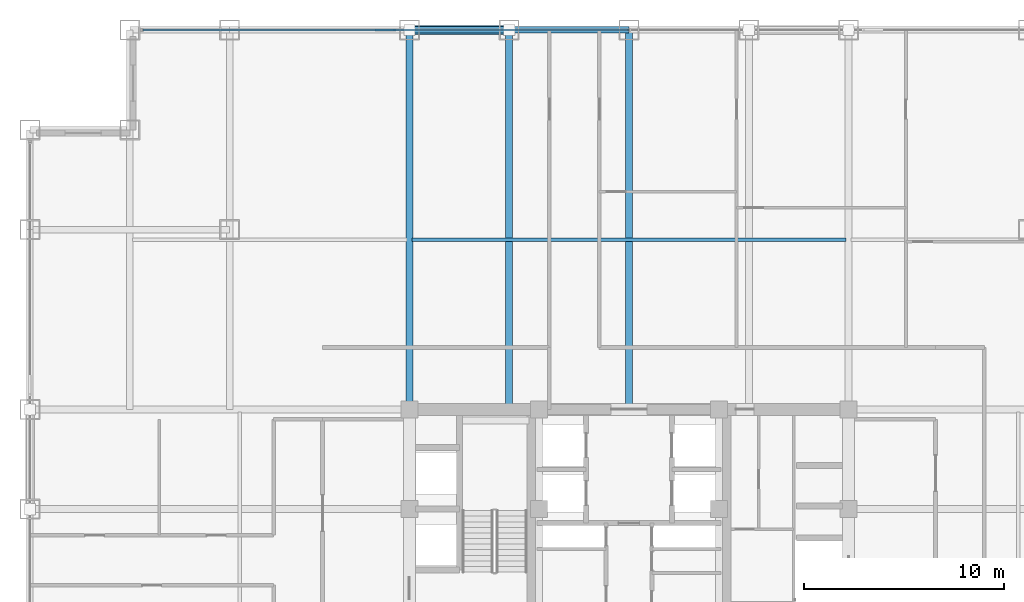
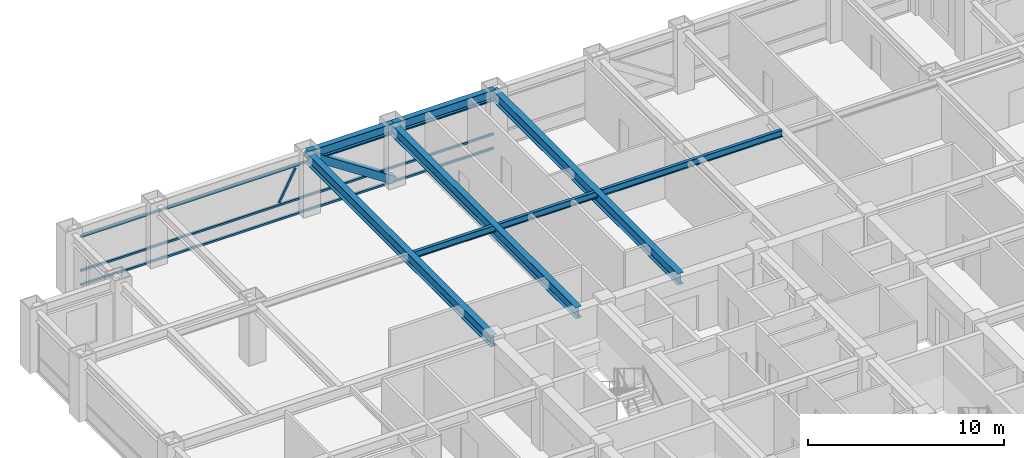
# One storey, part 15 of 25: 6 beams, 5 members, 1 element without a shape of its own.
"""IFC4 building model written with IfcOpenShell, lengths in metres."""

from ifc_helpers import new_model, si_unit, direction, frame, origin, origin_2d, place, context, subcontext, project, spatial, hollow_rectangle, i_section, extrude, source, transform, mapped, material, material_profile, profile_set, type_object, element, aggregate, save


model = new_model("IFC4")

# Units and contexts
model_context = context("Model", 3, precision=1e-05, world=origin(), true_north=direction((0.0, 1.0)))
body_context = subcontext(model_context, "Body", "Model", "MODEL_VIEW")
ifc_project = project(units=[si_unit("LENGTHUNIT", "METRE"), si_unit("AREAUNIT", "SQUARE_METRE"), si_unit("VOLUMEUNIT", "CUBIC_METRE"), si_unit("PLANEANGLEUNIT", "RADIAN"), si_unit("MASSUNIT", "GRAM", prefix="KILO")], contexts=[model_context])

# Site, building, storey
site_placement = place(None, origin())
site = spatial("IfcSite", under=ifc_project, at=site_placement, CompositionType="ELEMENT")
building_placement = place(site_placement, origin())
building = spatial("IfcBuilding", under=site, at=building_placement, Name="Khorayat Bourse Tower", CompositionType="ELEMENT")
storey_placement = place(building_placement, frame((0.0, 0.0, 247.10009765625)))
storey = spatial("IfcBuildingStorey", under=building, at=storey_placement, Name="L58", CompositionType="ELEMENT", Elevation=247.10009765625)

# Beams
ifc_material_1 = material(Name="Steel ASTM A992 Grade 50", Category="steel")
ifc_material_profile_1 = material_profile(ifc_material_1, i_section(OverallWidth=0.180908203125, OverallDepth=0.4169921875, WebThickness=0.010986328125, FlangeThickness=0.018310546875, FilletRadius=0.011962890625, at=origin_2d()), Name="W410X85")
ifc_profile_set_1 = profile_set([ifc_material_profile_1], Name="Steel ASTM A992 Grade 50")
beam_type_1 = type_object("IfcBeamType", Name="BM-JOIST-410", PredefinedType="JOIST", material=ifc_profile_set_1)
shared_shape_1 = source(origin(), body_context, "Body", "SweptSolid", [
    extrude(i_section(OverallWidth=0.180908203125, OverallDepth=0.4169921875, WebThickness=0.010986328125, FlangeThickness=0.018310546875, FilletRadius=0.011962890625, at=origin_2d()), origin(), (0.0, 0.0, 1.0), 21.740234375),
])
beam_1_placement = place(storey_placement, frame((-10.8701171875, 19.5, 3.5712890625), z_axis=(1.0, 0.0, 0.0), x_axis=(0.0, 1.0, 0.0)))
element("IfcBeam", 1, at=beam_1_placement, inside=storey, type_object=beam_type_1, Name="L58 BM-JOIST-410 BM-L58-JSTX-100", PredefinedType="JOIST", context=body_context, shape_type="MappedRepresentation", body=[
    mapped(shared_shape_1, transform((0.0, 0.0, 0.0), scale=1.0)),
])
ifc_material_profile_2 = material_profile(ifc_material_1, i_section(OverallWidth=0.324951171875, OverallDepth=0.615966796875, WebThickness=0.013916015625, FlangeThickness=0.021484375, FilletRadius=0.01611328125, at=origin_2d()), Name="W610X174")
ifc_profile_set_2 = profile_set([ifc_material_profile_2], Name="Steel ASTM A992 Grade 50")
beam_type_2 = type_object("IfcBeamType", Name="BM-SPAN-610", PredefinedType="SPANDREL", material=ifc_profile_set_2)
shared_shape_2 = source(origin(), body_context, "Body", "SweptSolid", [
    extrude(i_section(OverallWidth=0.324951171875, OverallDepth=0.615966796875, WebThickness=0.013916015625, FlangeThickness=0.021484375, FilletRadius=0.01611328125, at=origin_2d()), origin(), (0.0, 0.0, 1.0), 5.0),
])
beam_2_placement = place(storey_placement, frame((-11.0, 30.0, 3.471923828125), z_axis=(1.0, 0.0, 0.0), x_axis=(0.0, 1.0, 0.0)))
element("IfcBeam", 2, at=beam_2_placement, inside=storey, type_object=beam_type_2, Name="L58 BM-SPAN-610 BM-L58-SPN-049", PredefinedType="SPANDREL", context=body_context, shape_type="MappedRepresentation", body=[
    mapped(shared_shape_2, transform((0.0, 0.0, 0.0), scale=1.0)),
])
shared_shape_3 = source(origin(), body_context, "Body", "SweptSolid", [
    extrude(i_section(OverallWidth=0.324951171875, OverallDepth=0.615966796875, WebThickness=0.013916015625, FlangeThickness=0.021484375, FilletRadius=0.01611328125, at=origin_2d()), origin(), (0.0, 0.0, 1.0), 6.0),
])
beam_3_placement = place(storey_placement, frame((-6.0, 30.0, 3.471923828125), z_axis=(1.0, 0.0, 0.0), x_axis=(0.0, 1.0, 0.0)))
element("IfcBeam", 3, at=beam_3_placement, inside=storey, type_object=beam_type_2, Name="L58 BM-SPAN-610 BM-L58-SPN-048", PredefinedType="SPANDREL", context=body_context, shape_type="MappedRepresentation", body=[
    mapped(shared_shape_3, transform((0.0, 0.0, 0.0), scale=1.0)),
])
ifc_material_profile_3 = material_profile(ifc_material_1, i_section(OverallWidth=0.35498046875, OverallDepth=0.695068359375, WebThickness=0.015380859375, FlangeThickness=0.02490234375, FilletRadius=0.01806640625, at=origin_2d()), Name="W690X217")
ifc_profile_set_3 = profile_set([ifc_material_profile_3], Name="Steel ASTM A992 Grade 50")
beam_type_3 = type_object("IfcBeamType", Name="BM-GIRD-690", PredefinedType="BEAM", material=ifc_profile_set_3)
shared_shape_4 = source(origin(), body_context, "Body", "SweptSolid", [
    extrude(i_section(OverallWidth=0.35498046875, OverallDepth=0.695068359375, WebThickness=0.015380859375, FlangeThickness=0.02490234375, FilletRadius=0.01806640625, at=origin_2d()), origin(), (0.0, 0.0, 1.0), 19.0),
])
for number, where, z_axis, x_axis, name in (
    (4, (-11.0, 11.0, 3.432373046875), (0.0, 1.0, 0.0), (-1.0, 0.0, 0.0), "L58 BM-GIRD-690 BM-L58-RADY-064"),
    (5, (-6.0, 11.0, 3.432373046875), (0.0, 1.0, 0.0), (-1.0, 0.0, 0.0), "L58 BM-GIRD-690 BM-L58-RADY-066"),
    (6, (0.0, 11.0, 3.432373046875), (0.0, 1.0, 0.0), (-1.0, 0.0, 0.0), "L58 BM-GIRD-690 BM-L58-RADY-068"),
):
    element("IfcBeam", number, at=place(storey_placement, frame(where, z_axis=z_axis, x_axis=x_axis)), inside=storey, type_object=beam_type_3, Name=name, PredefinedType="BEAM", context=body_context, shape_type="MappedRepresentation", body=[
        mapped(shared_shape_4, transform((0.0, 0.0, 0.0), scale=1.0)),
    ])

# Member
ifc_material_2 = material(Name="Steel EN 10025-4 S460M", Category="steel")
ifc_material_profile_4 = material_profile(ifc_material_2, hollow_rectangle(XDim=0.449951171875, YDim=0.449951171875, WallThickness=0.02490234375, at=origin_2d()), Name="HSS 450x450x25")
ifc_profile_set_4 = profile_set([ifc_material_profile_4], Name="Steel EN 10025-4 S460M")
member_type_1 = type_object("IfcMemberType", Name="MBR-TUBE-450", PredefinedType="BRACE", material=ifc_profile_set_4)
shared_shape_5 = source(origin(), body_context, "Body", "SweptSolid", [
    extrude(hollow_rectangle(XDim=0.449951171875, YDim=0.449951171875, WallThickness=0.02490234375, at=origin_2d()), origin(), (0.0, 0.0, 1.0), 5.979736328125),
])
member_1_placement = place(storey_placement, frame((-11.0, 30.0, 3.52978515625), z_axis=(0.836160261256, 0.0, -0.548485202623), x_axis=(0.0, 1.0, 0.0)))
element("IfcMember", 7, at=member_1_placement, inside=storey, type_object=member_type_1, Name="L58 Perimeter Tube Brace 03", PredefinedType="BRACE", context=body_context, shape_type="MappedRepresentation", body=[
    mapped(shared_shape_5, transform((0.0, 0.0, 0.0), scale=1.0)),
])

# Curtain wall, members
ifc_material_3 = material(Name="Aluminium EN AW-6063 T6", Category="aluminium")
curtain_wall_type = type_object("IfcCurtainWallType", Name="CW-SYS-03", PredefinedType="NOTDEFINED", material=ifc_material_3)
curtain_wall_placement = place(storey_placement, origin())
curtain_wall = element("IfcCurtainWall", 8, at=curtain_wall_placement, inside=storey, type_object=curtain_wall_type, Name="L58 Curtain Wall CW-L58-N1", PredefinedType="NOTDEFINED")
ifc_material_profile_5 = material_profile(ifc_material_3, hollow_rectangle(XDim=0.1201171875, YDim=0.1201171875, WallThickness=0.0048828125, at=origin_2d()), Name="ALU 120x120x5")
ifc_profile_set_5 = profile_set([ifc_material_profile_5], Name="Aluminium EN AW-6063 T6")
member_type_2 = type_object("IfcMemberType", Name="CWM-DIAG-120", PredefinedType="MULLION", material=ifc_profile_set_5)
shared_shape_6 = source(origin(), body_context, "Body", "SweptSolid", [
    extrude(hollow_rectangle(XDim=0.1201171875, YDim=0.1201171875, WallThickness=0.0048828125, at=origin_2d()), origin(), (0.0, 0.0, 1.0), 2.079345703125),
])
member_2_placement = place(storey_placement, frame((-12.67919921875, 30.0, 1.08984375), z_axis=(0.465760949701, 0.0, 0.884910581773), x_axis=(0.0, 1.0, 0.0)))
member_2 = element("IfcMember", 9, at=member_2_placement, type_object=member_type_2, Name="CW-L58-N1 Faceted Diagonal Mullion 1", PredefinedType="MULLION", context=body_context, shape_type="MappedRepresentation", body=[
    mapped(shared_shape_6, transform((0.0, 0.0, 0.0), scale=1.0)),
])
ifc_material_profile_6 = material_profile(ifc_material_3, hollow_rectangle(XDim=0.1201171875, YDim=0.1201171875, WallThickness=0.0048828125, at=origin_2d()), Name="ALU 120x120x5")
ifc_profile_set_6 = profile_set([ifc_material_profile_6], Name="Aluminium EN AW-6063 T6")
member_type_3 = type_object("IfcMemberType", Name="CWT-HORZ-120", PredefinedType="USERDEFINED", material=ifc_profile_set_6)
shared_shape_7 = source(origin(), body_context, "Body", "SweptSolid", [
    extrude(hollow_rectangle(XDim=0.1201171875, YDim=0.1201171875, WallThickness=0.0048828125, at=origin_2d()), origin(), (0.0, 0.0, 1.0), 24.27001953125),
])
member_3_placement = place(storey_placement, frame((-24.330078125, 30.0, 0.059814453125), z_axis=(1.0, 0.0, 0.0), x_axis=(0.0, 1.0, 0.0)))
member_3 = element("IfcMember", 10, at=member_3_placement, type_object=member_type_3, Name="CW-L58-N1 Horizontal Transom 1-1", ObjectType="TRANSOM", PredefinedType="USERDEFINED", context=body_context, shape_type="MappedRepresentation", body=[
    mapped(shared_shape_7, transform((0.0, 0.0, 0.0), scale=1.0)),
])
member_4_placement = place(storey_placement, frame((-24.330078125, 30.0, 0.949951171875), z_axis=(1.0, 0.0, 0.0), x_axis=(0.0, 1.0, 0.0)))
member_4 = element("IfcMember", 11, at=member_4_placement, type_object=member_type_3, Name="CW-L58-N1 Horizontal Transom 1-2", ObjectType="TRANSOM", PredefinedType="USERDEFINED", context=body_context, shape_type="MappedRepresentation", body=[
    mapped(shared_shape_7, transform((0.0, 0.0, 0.0), scale=1.0)),
])
member_5_placement = place(storey_placement, frame((-24.330078125, 30.0, 3.06982421875), z_axis=(1.0, 0.0, 0.0), x_axis=(0.0, 1.0, 0.0)))
member_5 = element("IfcMember", 12, at=member_5_placement, type_object=member_type_3, Name="CW-L58-N1 Horizontal Transom 1-3", ObjectType="TRANSOM", PredefinedType="USERDEFINED", context=body_context, shape_type="MappedRepresentation", body=[
    mapped(shared_shape_7, transform((0.0, 0.0, 0.0), scale=1.0)),
])
aggregate(curtain_wall, [member_3, member_4, member_5, member_2])

save(model, "model.ifc")
